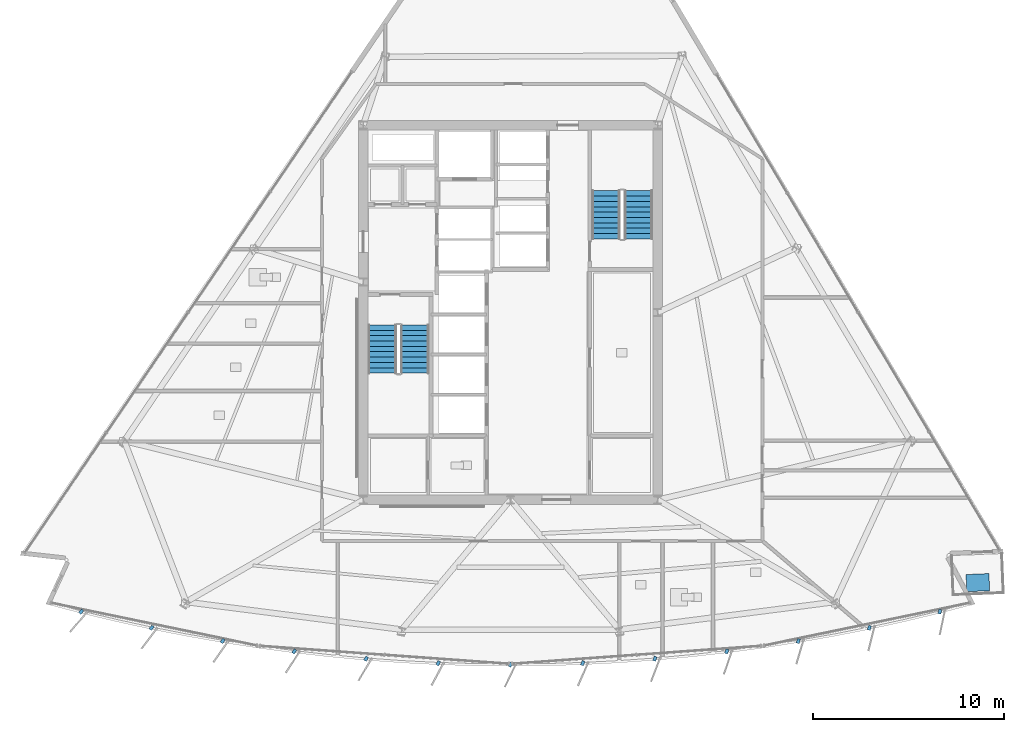
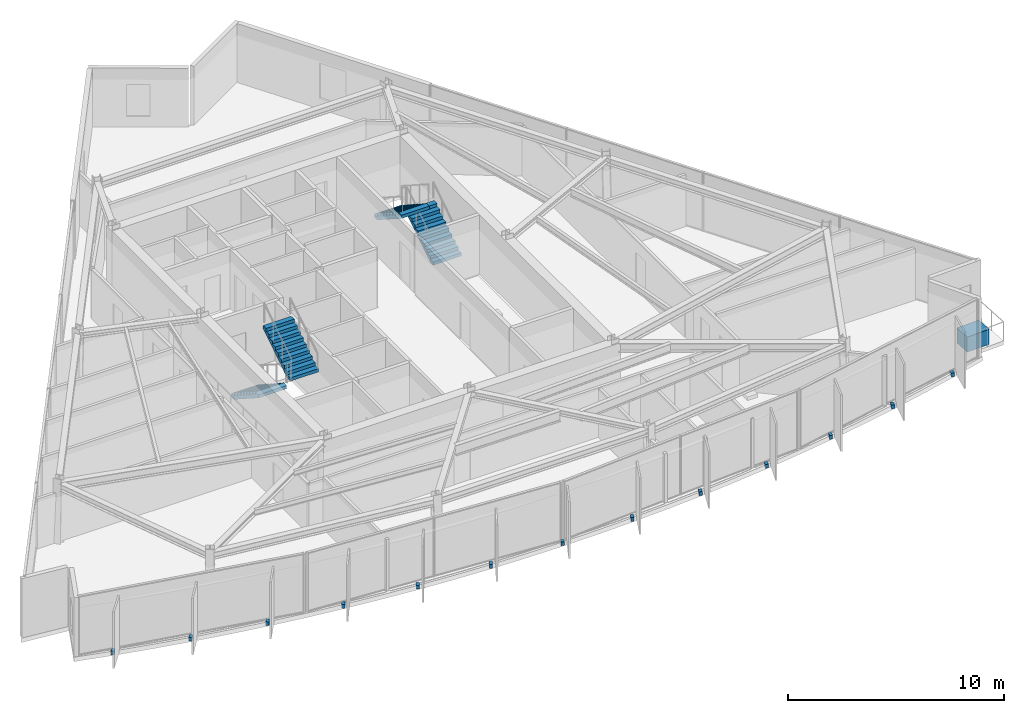
# One storey, part 10 of 15: 14 discrete accessories, 4 stair flights, 2 elements without a shape of their own.
"""IFC4 building model written with IfcOpenShell, lengths in metres."""

from ifc_helpers import new_model, si_unit, direction, frame, origin, origin_2d, place, context, subcontext, project, spatial, polyline, rectangle, outline, extrude, material, type_object, element, aggregate, save


model = new_model("IFC4")

# Units and contexts
model_context = context("Model", 3, precision=1e-05, world=origin(), true_north=direction((0.0, 1.0)))
body_context = subcontext(model_context, "Body", "Model", "MODEL_VIEW")
ifc_project = project(units=[si_unit("LENGTHUNIT", "METRE"), si_unit("AREAUNIT", "SQUARE_METRE"), si_unit("VOLUMEUNIT", "CUBIC_METRE"), si_unit("PLANEANGLEUNIT", "RADIAN"), si_unit("MASSUNIT", "GRAM", prefix="KILO")], contexts=[model_context])

# Site, building, storey
site_placement = place(None, origin())
site = spatial("IfcSite", under=ifc_project, at=site_placement, CompositionType="ELEMENT")
building_placement = place(site_placement, origin())
building = spatial("IfcBuilding", under=site, at=building_placement, Name="Savorim Split Tower", CompositionType="ELEMENT")
storey_placement = place(building_placement, frame((0.0, 0.0, 194.699951171875)))
storey = spatial("IfcBuildingStorey", under=building, at=storey_placement, Name="L51", CompositionType="ELEMENT", Elevation=194.699951171875)

# Stair, stair flights
ifc_material_1 = material(Name="Concrete C50/60", Category="concrete")
stair_type = type_object("IfcStairType", Name="STR-DOG-3600", PredefinedType="HALF_TURN_STAIR", material=ifc_material_1)
stair_1_placement = place(storey_placement, origin())
stair_1 = element("IfcStair", 1, at=stair_1_placement, inside=storey, type_object=stair_type, Name="L51 Core Protected Exit Stair ST-1", PredefinedType="HALF_TURN_STAIR")
stair_flight_type = type_object("IfcStairFlightType", Name="SFL-DOG-3600", PredefinedType="STRAIGHT", material=ifc_material_1)
stair_flight_1_placement = place(storey_placement, frame((-6.699951171875, -0.25, 0.0), z_axis=(0.0, 0.0, 1.0), x_axis=(0.0, -1.0, 0.0)))
stair_flight_1 = element("IfcStairFlight", 2, at=stair_flight_1_placement, type_object=stair_flight_type, Name="ST-1 flight 1", NumberOfRisers=10, NumberOfTreads=9, PredefinedType="STRAIGHT", RiserHeight=0.18, TreadLength=0.28, context=body_context, shape_type="SweptSolid", body=[
    extrude(outline(polyline([(0.0, 0.0), (0.0, 0.179931640625), (0.280029296875, 0.179931640625), (0.280029296875, 0.360107421875), (0.56005859375, 0.360107421875), (0.56005859375, 0.5400390625), (0.840087890625, 0.5400390625), (0.840087890625, 0.719970703125), (1.1201171875, 0.719970703125), (1.1201171875, 0.89990234375), (1.39990234375, 0.89990234375), (1.39990234375, 1.080078125), (1.679931640625, 1.080078125), (1.679931640625, 1.260009765625), (1.9599609375, 1.260009765625), (1.9599609375, 1.43994140625), (2.239990234375, 1.43994140625), (2.239990234375, 1.6201171875), (2.52001953125, 1.6201171875), (2.52001953125, 1.800048828125), (2.52001953125, 1.44189453125), (0.277099609375, 0.0), (0.0, 0.0)])), frame((0.0, 0.75, 0.0), z_axis=(0.0, -1.0, 0.0), x_axis=(1.0, 0.0, 0.0)), (0.0, 0.0, 1.0), 1.5),
])
stair_flight_2_placement = place(storey_placement, frame((-5.0, -2.77001953125, 1.800048828125), z_axis=(0.0, 0.0, 1.0), x_axis=(0.0, 1.0, 0.0)))
stair_flight_2 = element("IfcStairFlight", 3, at=stair_flight_2_placement, type_object=stair_flight_type, Name="ST-1 flight 2", NumberOfRisers=10, NumberOfTreads=9, PredefinedType="STRAIGHT", RiserHeight=0.18, TreadLength=0.28, context=body_context, shape_type="SweptSolid", body=[
    extrude(outline(polyline([(0.0, 0.0), (0.0, 0.179931640625), (0.280029296875, 0.179931640625), (0.280029296875, 0.360107421875), (0.56005859375, 0.360107421875), (0.56005859375, 0.5400390625), (0.840087890625, 0.5400390625), (0.840087890625, 0.719970703125), (1.1201171875, 0.719970703125), (1.1201171875, 0.89990234375), (1.39990234375, 0.89990234375), (1.39990234375, 1.080078125), (1.679931640625, 1.080078125), (1.679931640625, 1.260009765625), (1.9599609375, 1.260009765625), (1.9599609375, 1.43994140625), (2.239990234375, 1.43994140625), (2.239990234375, 1.6201171875), (2.52001953125, 1.6201171875), (2.52001953125, 1.800048828125), (2.52001953125, 1.44189453125), (0.277099609375, 0.0), (0.0, 0.0)])), frame((0.0, 0.75, 0.0), z_axis=(0.0, -1.0, 0.0), x_axis=(1.0, 0.0, 0.0)), (0.0, 0.0, 1.0), 1.5),
])
aggregate(stair_1, [stair_flight_1, stair_flight_2])

stair_2_placement = place(storey_placement, origin())
stair_2 = element("IfcStair", 4, at=stair_2_placement, inside=storey, type_object=stair_type, Name="L51 Core Protected Exit Stair ST-2", PredefinedType="HALF_TURN_STAIR")
stair_flight_3_placement = place(storey_placement, frame((6.699951171875, 4.25, 0.0), z_axis=(0.0, 0.0, 1.0), x_axis=(0.0, 1.0, 0.0)))
stair_flight_3 = element("IfcStairFlight", 5, at=stair_flight_3_placement, type_object=stair_flight_type, Name="ST-2 flight 1", NumberOfRisers=10, NumberOfTreads=9, PredefinedType="STRAIGHT", RiserHeight=0.18, TreadLength=0.28, context=body_context, shape_type="SweptSolid", body=[
    extrude(outline(polyline([(0.0, 0.0), (0.0, 0.179931640625), (0.280029296875, 0.179931640625), (0.280029296875, 0.360107421875), (0.56005859375, 0.360107421875), (0.56005859375, 0.5400390625), (0.840087890625, 0.5400390625), (0.840087890625, 0.719970703125), (1.1201171875, 0.719970703125), (1.1201171875, 0.89990234375), (1.39990234375, 0.89990234375), (1.39990234375, 1.080078125), (1.679931640625, 1.080078125), (1.679931640625, 1.260009765625), (1.9599609375, 1.260009765625), (1.9599609375, 1.43994140625), (2.239990234375, 1.43994140625), (2.239990234375, 1.6201171875), (2.52001953125, 1.6201171875), (2.52001953125, 1.800048828125), (2.52001953125, 1.44189453125), (0.277099609375, 0.0), (0.0, 0.0)])), frame((0.0, 0.75, 0.0), z_axis=(0.0, -1.0, 0.0), x_axis=(1.0, 0.0, 0.0)), (0.0, 0.0, 1.0), 1.5),
])
stair_flight_4_placement = place(storey_placement, frame((5.0, 6.77001953125, 1.800048828125), z_axis=(0.0, 0.0, 1.0), x_axis=(0.0, -1.0, 0.0)))
stair_flight_4 = element("IfcStairFlight", 6, at=stair_flight_4_placement, type_object=stair_flight_type, Name="ST-2 flight 2", NumberOfRisers=10, NumberOfTreads=9, PredefinedType="STRAIGHT", RiserHeight=0.18, TreadLength=0.28, context=body_context, shape_type="SweptSolid", body=[
    extrude(outline(polyline([(0.0, 0.0), (0.0, 0.179931640625), (0.280029296875, 0.179931640625), (0.280029296875, 0.360107421875), (0.56005859375, 0.360107421875), (0.56005859375, 0.5400390625), (0.840087890625, 0.5400390625), (0.840087890625, 0.719970703125), (1.1201171875, 0.719970703125), (1.1201171875, 0.89990234375), (1.39990234375, 0.89990234375), (1.39990234375, 1.080078125), (1.679931640625, 1.080078125), (1.679931640625, 1.260009765625), (1.9599609375, 1.260009765625), (1.9599609375, 1.43994140625), (2.239990234375, 1.43994140625), (2.239990234375, 1.6201171875), (2.52001953125, 1.6201171875), (2.52001953125, 1.800048828125), (2.52001953125, 1.44189453125), (0.277099609375, 0.0), (0.0, 0.0)])), frame((0.0, 0.75, 0.0), z_axis=(0.0, -1.0, 0.0), x_axis=(1.0, 0.0, 0.0)), (0.0, 0.0, 1.0), 1.5),
])
aggregate(stair_2, [stair_flight_3, stair_flight_4])

# Discrete accessories
ifc_material_2 = material(Name="Steel S355", Category="steel")
discrete_accessory_type_1 = type_object("IfcDiscreteAccessoryType", Name="ACC-BRK-FIN", PredefinedType="BRACKET", material=ifc_material_2)
for number, where, z_axis, x_axis, name in (
    (7, (-22.460205078125, -15.250732421875, -0.18994140625), (0.0, 0.0, 1.0), (-0.643719022682, -0.765261928909, 0.0), "L51 Fin Slab-Edge Cleat Bracket 01"),
    (8, (-18.774658203125, -16.0947265625, -0.18994140625), (0.0, 0.0, 1.0), (-0.611868076908, -0.790959832394, 0.0), "L51 Fin Slab-Edge Cleat Bracket 02"),
    (9, (-15.0576171875, -16.787109375, -0.18994140625), (0.0, 0.0, 1.0), (-0.578993757737, -0.815331974414, 0.0), "L51 Fin Slab-Edge Cleat Bracket 03"),
    (10, (-11.315185546875, -17.326904296875, -0.18994140625), (0.0, 0.0, 1.0), (-0.545148321708, -0.838339613366, 0.0), "L51 Fin Slab-Edge Cleat Bracket 04"),
    (11, (-7.55419921875, -17.713134765625, -0.18994140625), (0.0, 0.0, 1.0), (-0.510391336723, -0.859942255851, 0.0), "L51 Fin Slab-Edge Cleat Bracket 05"),
    (12, (-3.7802734375, -17.945068359375, -0.18994140625), (0.0, 0.0, 1.0), (-0.474778051978, -0.880105562623, 0.0), "L51 Fin Slab-Edge Cleat Bracket 06"),
    (13, (0.0, -18.0224609375, -0.18994140625), (0.0, 0.0, 1.0), (-0.438371146789, -0.898794046299, 0.0), "L51 Fin Slab-Edge Cleat Bracket 07"),
    (14, (3.7802734375, -17.945068359375, -0.18994140625), (0.0, 0.0, 1.0), (-0.401230091723, -0.915977299662, 0.0), "L51 Fin Slab-Edge Cleat Bracket 08"),
    (15, (7.55419921875, -17.713134765625, -0.18994140625), (0.0, 0.0, 1.0), (-0.363415461732, -0.931627179817, 0.0), "L51 Fin Slab-Edge Cleat Bracket 09"),
    (16, (11.315185546875, -17.326904296875, -0.18994140625), (0.0, 0.0, 1.0), (-0.324993810493, -0.945716143005, 0.0), "L51 Fin Slab-Edge Cleat Bracket 10"),
    (17, (15.0576171875, -16.787109375, -0.18994140625), (0.0, 0.0, 1.0), (-0.286026212504, -0.958221793616, 0.0), "L51 Fin Slab-Edge Cleat Bracket 11"),
    (18, (18.774658203125, -16.0947265625, -0.18994140625), (0.0, 0.0, 1.0), (-0.246581250663, -0.969122121727, 0.0), "L51 Fin Slab-Edge Cleat Bracket 12"),
    (19, (22.460205078125, -15.250732421875, -0.18994140625), (0.0, 0.0, 1.0), (-0.206721626106, -0.978399800337, 0.0), "L51 Fin Slab-Edge Cleat Bracket 13"),
):
    element("IfcDiscreteAccessory", number, at=place(storey_placement, frame(where, z_axis=z_axis, x_axis=x_axis)), inside=storey, type_object=discrete_accessory_type_1, Name=name, PredefinedType="BRACKET", context=body_context, shape_type="SweptSolid", body=[
        extrude(rectangle(XDim=0.239990234375, YDim=0.159912109375, at=origin_2d()), origin(), (0.0, 0.0, 1.0), 0.219970703125),
    ])
ifc_material_3 = material(Name="Architectural Precast Planter Concrete C40/50", Category="concrete")
discrete_accessory_type_2 = type_object("IfcDiscreteAccessoryType", Name="ACC-PLN-TREE", PredefinedType="USERDEFINED", material=ifc_material_3)
discrete_accessory_placement = place(storey_placement, frame((24.4482421875, -13.73046875, 0.0), z_axis=(0.0, 0.0, 1.0), x_axis=(0.999095950682, 0.042512131569, 0.0)))
element("IfcDiscreteAccessory", 20, at=discrete_accessory_placement, inside=storey, type_object=discrete_accessory_type_2, Name="L51 Balcony Precast Tree Planter SE", ObjectType="PLANTER", PredefinedType="USERDEFINED", context=body_context, shape_type="SweptSolid", body=[
    extrude(rectangle(XDim=1.199951171875, YDim=0.89990234375, at=origin_2d()), origin(), (0.0, 0.0, 1.0), 0.85009765625),
])

save(model, "model.ifc")
